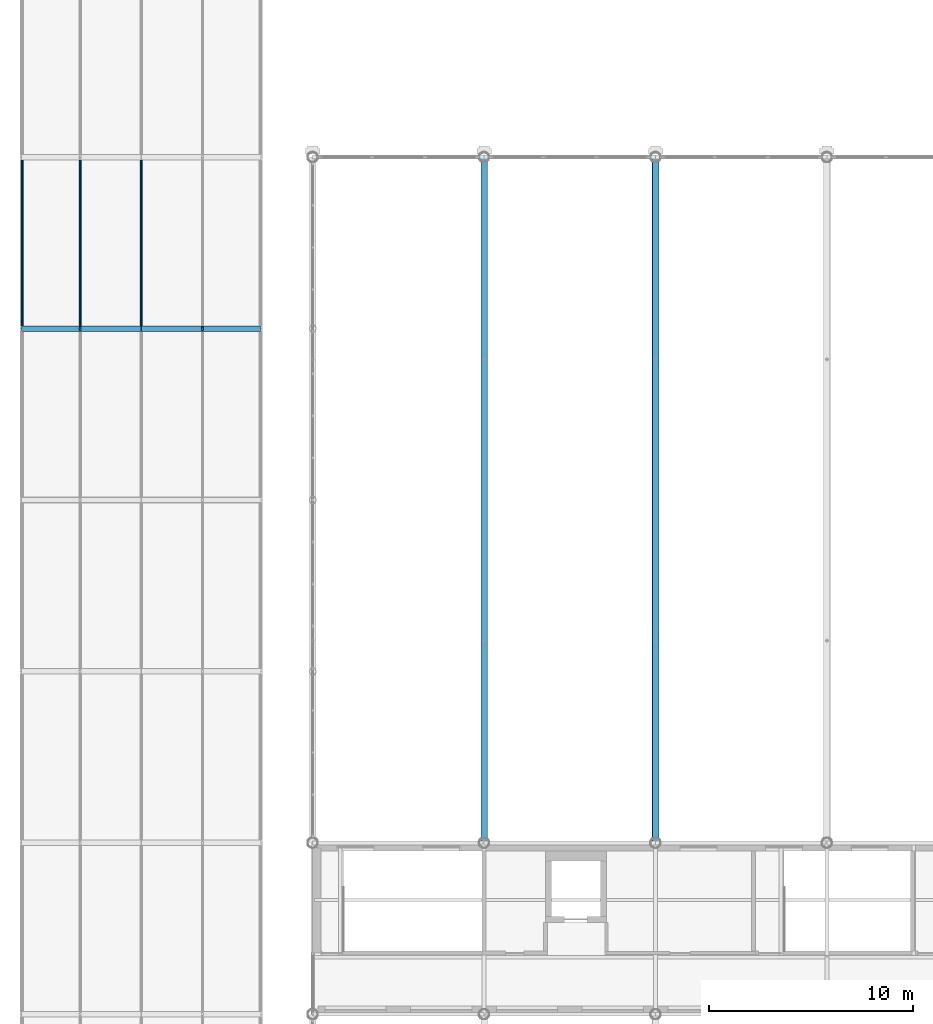
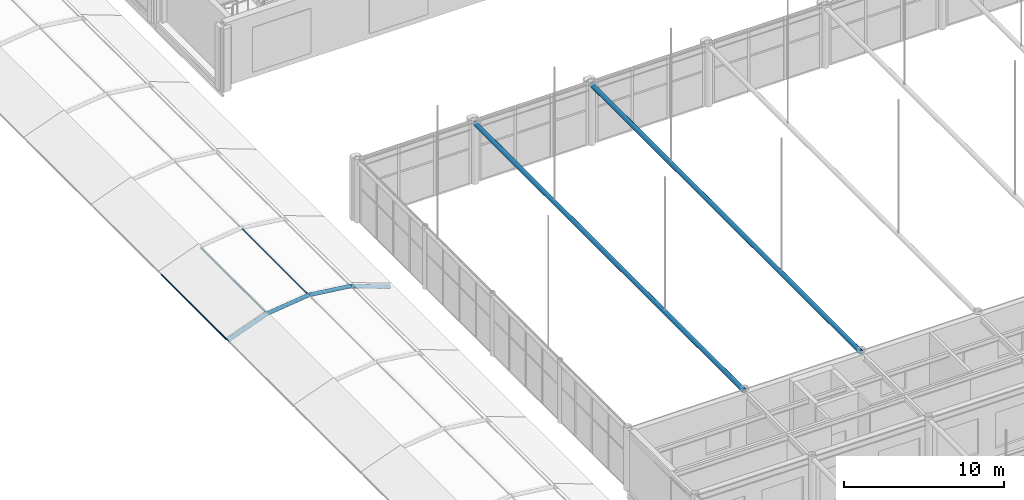
# One storey, part 71 of 167: 7 members, 2 beams.
"""IFC4 building model written with IfcOpenShell, lengths in metres."""

from ifc_helpers import new_model, si_unit, direction, frame, origin, origin_2d, place, context, subcontext, project, spatial, hollow_circle, extrude, material, material_profile, profile_set, type_object, element, save


model = new_model("IFC4")

# Units and contexts
model_context = context("Model", 3, precision=1e-05, world=origin(), true_north=direction((0.0, 1.0)))
body_context = subcontext(model_context, "Body", "Model", "MODEL_VIEW")
ifc_project = project(units=[si_unit("LENGTHUNIT", "METRE"), si_unit("AREAUNIT", "SQUARE_METRE"), si_unit("VOLUMEUNIT", "CUBIC_METRE"), si_unit("PLANEANGLEUNIT", "RADIAN"), si_unit("MASSUNIT", "GRAM", prefix="KILO")], contexts=[model_context])

# Site, building, storey
site_placement = place(None, origin())
site = spatial("IfcSite", under=ifc_project, at=site_placement, CompositionType="ELEMENT")
building_placement = place(site_placement, origin())
building = spatial("IfcBuilding", under=site, at=building_placement, Name="Catenary Quay Ferry Terminal", CompositionType="ELEMENT")
storey_placement = place(building_placement, frame((0.0, 0.0, 6.0)))
storey = spatial("IfcBuildingStorey", under=building, at=storey_placement, Name="L01", CompositionType="ELEMENT", Elevation=6.0)

# Members
ifc_material_1 = material(Name="Steel S355", Category="steel")
ifc_material_profile_1 = material_profile(ifc_material_1, hollow_circle(Radius=0.05712890625, WallThickness=0.00634765625, at=origin_2d()), Name="CHS 114.3x6.3")
ifc_profile_set_1 = profile_set([ifc_material_profile_1], Name="Steel S355")
member_type_1 = type_object("IfcMemberType", Name="PU2 CHS 114.3x6.3", PredefinedType="PURLIN", material=ifc_profile_set_1)
for number, where, z_axis, x_axis, name in (
    (1, (10.970947265625, 134.530029296875, 0.98388671875), (0.0, 1.0, 0.0), (-1.0, 0.0, 0.0), "Purlin PU-FC-09-01"),
    (2, (13.802978515625, 134.530029296875, 2.031005859375), (0.0, 1.0, 0.0), (-1.0, 0.0, 0.0), "Purlin PU-FC-09-02"),
    (3, (16.800048828125, 134.530029296875, 2.39990234375), (0.0, 1.0, 0.0), (-1.0, 0.0, 0.0), "Purlin PU-FC-09-03"),
):
    element("IfcMember", number, at=place(storey_placement, frame(where, z_axis=z_axis, x_axis=x_axis)), inside=storey, type_object=member_type_1, Name=name, PredefinedType="PURLIN", context=body_context, shape_type="SweptSolid", body=[
        extrude(hollow_circle(Radius=0.05712890625, WallThickness=0.00634765625, at=origin_2d()), origin(), (0.0, 0.0, 1.0), 8.139892578125),
    ])

# Beams
ifc_material_2 = material(Name="Steel S355", Category="steel")
ifc_material_profile_2 = material_profile(ifc_material_2, hollow_circle(Radius=0.161865234375, WallThickness=0.01611328125, at=origin_2d()), Name="CHS 323.9x16")
ifc_profile_set_2 = profile_set([ifc_material_profile_2], Name="Steel S355")
beam_type = type_object("IfcBeamType", Name="TB3 CHS 323.9x16", PredefinedType="BEAM", material=ifc_profile_set_2)
for number, where, z_axis, x_axis, name in (
    (4, (33.60009765625, 109.199951171875, 4.5), (0.0, 1.0, 0.0), (-1.0, 0.0, 0.0), "Vault tie beam VD-02"),
    (5, (42.0, 109.199951171875, 4.5), (0.0, 1.0, 0.0), (-1.0, 0.0, 0.0), "Vault tie beam VD-03"),
):
    element("IfcBeam", number, at=place(storey_placement, frame(where, z_axis=z_axis, x_axis=x_axis)), inside=storey, type_object=beam_type, Name=name, PredefinedType="BEAM", context=body_context, shape_type="SweptSolid", body=[
        extrude(hollow_circle(Radius=0.161865234375, WallThickness=0.01611328125, at=origin_2d()), origin(), (0.0, 0.0, 1.0), 33.60009765625),
    ])

# Members
ifc_material_3 = material(Name="Steel S355", Category="steel")
ifc_material_profile_3 = material_profile(ifc_material_3, hollow_circle(Radius=0.136474609375, WallThickness=0.012451171875, at=origin_2d()), Name="CHS 273x12.5")
ifc_profile_set_3 = profile_set([ifc_material_profile_3], Name="Steel S355")
member_type_2 = type_object("IfcMemberType", Name="VR2 CHS 273x12.5", PredefinedType="RAFTER", material=ifc_profile_set_3)
member_1_placement = place(storey_placement, frame((10.970947265625, 134.39990234375, 0.98388671875), z_axis=(0.937940762231, 0.0, 0.346795511139), x_axis=(0.0, 1.0, 0.0)))
element("IfcMember", 6, at=member_1_placement, inside=storey, type_object=member_type_2, Name="rib FC-09-02", PredefinedType="RAFTER", context=body_context, shape_type="SweptSolid", body=[
    extrude(hollow_circle(Radius=0.136474609375, WallThickness=0.012451171875, at=origin_2d()), origin(), (0.0, 0.0, 1.0), 3.01953125),
])
for number, where, z_axis, x_axis, name in (
    (7, (13.802978515625, 134.39990234375, 2.031005859375), (0.992509955251, 0.0, 0.122163778298), (0.0, 1.0, 0.0), "rib FC-09-03"),
    (8, (16.800048828125, 134.39990234375, 2.39990234375), (0.992509955251, 0.0, -0.122163778298), (0.0, 1.0, 0.0), "rib FC-09-04"),
):
    element("IfcMember", number, at=place(storey_placement, frame(where, z_axis=z_axis, x_axis=x_axis)), inside=storey, type_object=member_type_2, Name=name, PredefinedType="RAFTER", context=body_context, shape_type="SweptSolid", body=[
        extrude(hollow_circle(Radius=0.136474609375, WallThickness=0.012451171875, at=origin_2d()), origin(), (0.0, 0.0, 1.0), 3.019775390625),
    ])
member_2_placement = place(storey_placement, frame((19.797119140625, 134.39990234375, 2.031005859375), z_axis=(0.93793103669, 0.0, -0.346821813636), x_axis=(0.0, 1.0, 0.0)))
element("IfcMember", 9, at=member_2_placement, inside=storey, type_object=member_type_2, Name="rib FC-09-05", PredefinedType="RAFTER", context=body_context, shape_type="SweptSolid", body=[
    extrude(hollow_circle(Radius=0.136474609375, WallThickness=0.012451171875, at=origin_2d()), origin(), (0.0, 0.0, 1.0), 3.019287109375),
])

save(model, "model.ifc")
